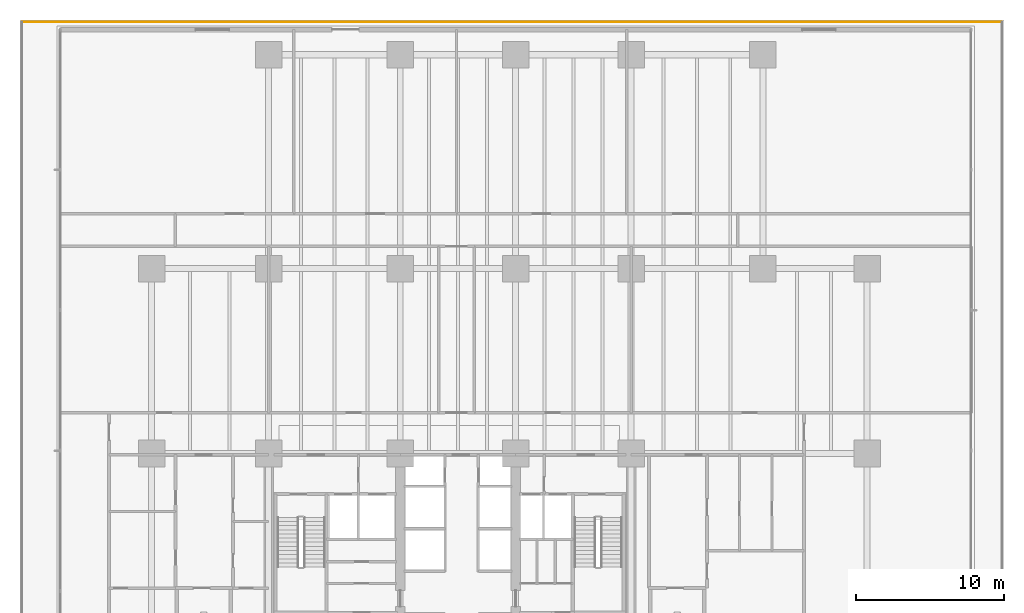
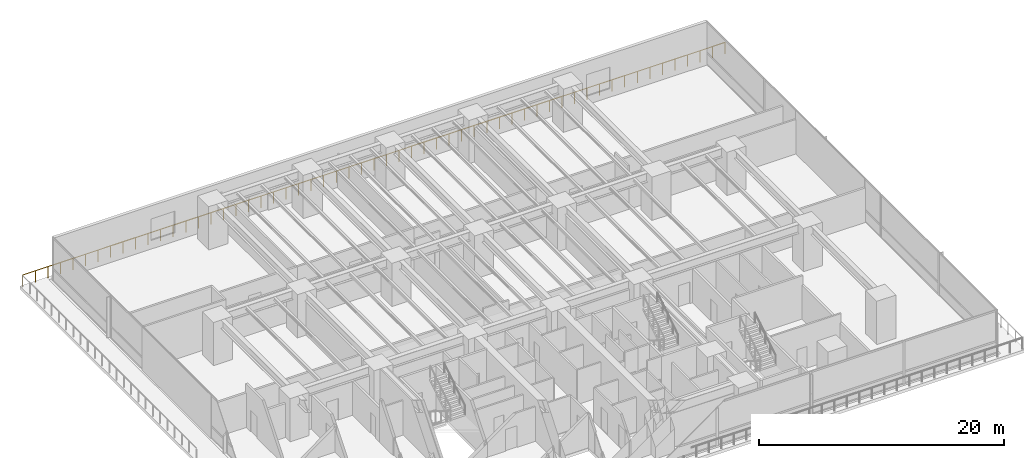
# One storey, part 23 of 26: 1 railing.
"""IFC4 building model written with IfcOpenShell, lengths in metres."""

from ifc_helpers import new_model, si_unit, direction, frame, origin, origin_2d, place, context, subcontext, project, spatial, circle, extrude, material, type_object, element, save


model = new_model("IFC4")

# Units and contexts
model_context = context("Model", 3, precision=1e-05, world=origin(), true_north=direction((0.0, 1.0)))
body_context = subcontext(model_context, "Body", "Model", "MODEL_VIEW")
ifc_project = project(units=[si_unit("LENGTHUNIT", "METRE"), si_unit("AREAUNIT", "SQUARE_METRE"), si_unit("VOLUMEUNIT", "CUBIC_METRE"), si_unit("PLANEANGLEUNIT", "RADIAN"), si_unit("MASSUNIT", "GRAM", prefix="KILO")], contexts=[model_context])

# Site, building, storey
site_placement = place(None, origin())
site = spatial("IfcSite", under=ifc_project, at=site_placement, CompositionType="ELEMENT")
building_placement = place(site_placement, origin())
building = spatial("IfcBuilding", under=site, at=building_placement, Name="Qalmaran Belvedere Hotel", CompositionType="ELEMENT")
storey_placement = place(building_placement, frame((0.0, 0.0, 19.199951171875)))
storey = spatial("IfcBuildingStorey", under=building, at=storey_placement, Name="L04", CompositionType="ELEMENT", Elevation=19.199951171875)

# Railing
ifc_material = material(Name="Anodised Bronze Aluminium", Category="aluminium")
railing_type = type_object("IfcRailingType", Name="GRD-TERR-1150", PredefinedType="BALUSTRADE", material=ifc_material)
railing_placement = place(storey_placement, frame((69.824951171875, 49.659912109375, 0.0)))
element("IfcRailing", 1, at=railing_placement, inside=storey, type_object=railing_type, Name="L04 Guardrail L04-TERR-3", PredefinedType="BALUSTRADE", context=body_context, shape_type="SweptSolid", body=[
    extrude(circle(Radius=0.02392578125, at=origin_2d()), frame((0.0, 0.0, 1.1259765625), z_axis=(-1.0, 0.0, 0.0), x_axis=(0.0, -1.0, 0.0)), (0.0, 0.0, 1.0), 66.14990234375),
    extrude(circle(Radius=0.02099609375, at=origin_2d()), origin(), (0.0, 0.0, 1.0), 1.101806640625),
    extrude(circle(Radius=0.02099609375, at=origin_2d()), frame((-1.18115234375, 0.0, 0.0)), (0.0, 0.0, 1.0), 1.101806640625),
    extrude(circle(Radius=0.02099609375, at=origin_2d()), frame((-2.362548828125, 0.0, 0.0)), (0.0, 0.0, 1.0), 1.101806640625),
    extrude(circle(Radius=0.02099609375, at=origin_2d()), frame((-3.543701171875, 0.0, 0.0)), (0.0, 0.0, 1.0), 1.101806640625),
    extrude(circle(Radius=0.02099609375, at=origin_2d()), frame((-4.72509765625, 0.0, 0.0)), (0.0, 0.0, 1.0), 1.101806640625),
    extrude(circle(Radius=0.02099609375, at=origin_2d()), frame((-5.90625, 0.0, 0.0)), (0.0, 0.0, 1.0), 1.101806640625),
    extrude(circle(Radius=0.02099609375, at=origin_2d()), frame((-7.08740234375, 0.0, 0.0)), (0.0, 0.0, 1.0), 1.101806640625),
    extrude(circle(Radius=0.02099609375, at=origin_2d()), frame((-8.268798828125, 0.0, 0.0)), (0.0, 0.0, 1.0), 1.101806640625),
    extrude(circle(Radius=0.02099609375, at=origin_2d()), frame((-9.449951171875, 0.0, 0.0)), (0.0, 0.0, 1.0), 1.101806640625),
    extrude(circle(Radius=0.02099609375, at=origin_2d()), frame((-10.63134765625, 0.0, 0.0)), (0.0, 0.0, 1.0), 1.101806640625),
    extrude(circle(Radius=0.02099609375, at=origin_2d()), frame((-11.8125, 0.0, 0.0)), (0.0, 0.0, 1.0), 1.101806640625),
    extrude(circle(Radius=0.02099609375, at=origin_2d()), frame((-12.99365234375, 0.0, 0.0)), (0.0, 0.0, 1.0), 1.101806640625),
    extrude(circle(Radius=0.02099609375, at=origin_2d()), frame((-14.175048828125, 0.0, 0.0)), (0.0, 0.0, 1.0), 1.101806640625),
    extrude(circle(Radius=0.02099609375, at=origin_2d()), frame((-15.356201171875, 0.0, 0.0)), (0.0, 0.0, 1.0), 1.101806640625),
    extrude(circle(Radius=0.02099609375, at=origin_2d()), frame((-16.53759765625, 0.0, 0.0)), (0.0, 0.0, 1.0), 1.101806640625),
    extrude(circle(Radius=0.02099609375, at=origin_2d()), frame((-17.71875, 0.0, 0.0)), (0.0, 0.0, 1.0), 1.101806640625),
    extrude(circle(Radius=0.02099609375, at=origin_2d()), frame((-18.89990234375, 0.0, 0.0)), (0.0, 0.0, 1.0), 1.101806640625),
    extrude(circle(Radius=0.02099609375, at=origin_2d()), frame((-20.081298828125, 0.0, 0.0)), (0.0, 0.0, 1.0), 1.101806640625),
    extrude(circle(Radius=0.02099609375, at=origin_2d()), frame((-21.262451171875, 0.0, 0.0)), (0.0, 0.0, 1.0), 1.101806640625),
    extrude(circle(Radius=0.02099609375, at=origin_2d()), frame((-22.443603515625, 0.0, 0.0)), (0.0, 0.0, 1.0), 1.101806640625),
    extrude(circle(Radius=0.02099609375, at=origin_2d()), frame((-23.625, 0.0, 0.0)), (0.0, 0.0, 1.0), 1.101806640625),
    extrude(circle(Radius=0.02099609375, at=origin_2d()), frame((-24.80615234375, 0.0, 0.0)), (0.0, 0.0, 1.0), 1.101806640625),
    extrude(circle(Radius=0.02099609375, at=origin_2d()), frame((-25.987548828125, 0.0, 0.0)), (0.0, 0.0, 1.0), 1.101806640625),
    extrude(circle(Radius=0.02099609375, at=origin_2d()), frame((-27.168701171875, 0.0, 0.0)), (0.0, 0.0, 1.0), 1.101806640625),
    extrude(circle(Radius=0.02099609375, at=origin_2d()), frame((-28.349853515625, 0.0, 0.0)), (0.0, 0.0, 1.0), 1.101806640625),
    extrude(circle(Radius=0.02099609375, at=origin_2d()), frame((-29.53125, 0.0, 0.0)), (0.0, 0.0, 1.0), 1.101806640625),
    extrude(circle(Radius=0.02099609375, at=origin_2d()), frame((-30.71240234375, 0.0, 0.0)), (0.0, 0.0, 1.0), 1.101806640625),
    extrude(circle(Radius=0.02099609375, at=origin_2d()), frame((-31.893798828125, 0.0, 0.0)), (0.0, 0.0, 1.0), 1.101806640625),
    extrude(circle(Radius=0.02099609375, at=origin_2d()), frame((-33.074951171875, 0.0, 0.0)), (0.0, 0.0, 1.0), 1.101806640625),
    extrude(circle(Radius=0.02099609375, at=origin_2d()), frame((-34.256103515625, 0.0, 0.0)), (0.0, 0.0, 1.0), 1.101806640625),
    extrude(circle(Radius=0.02099609375, at=origin_2d()), frame((-35.4375, 0.0, 0.0)), (0.0, 0.0, 1.0), 1.101806640625),
    extrude(circle(Radius=0.02099609375, at=origin_2d()), frame((-36.61865234375, 0.0, 0.0)), (0.0, 0.0, 1.0), 1.101806640625),
    extrude(circle(Radius=0.02099609375, at=origin_2d()), frame((-37.800048828125, 0.0, 0.0)), (0.0, 0.0, 1.0), 1.101806640625),
    extrude(circle(Radius=0.02099609375, at=origin_2d()), frame((-38.981201171875, 0.0, 0.0)), (0.0, 0.0, 1.0), 1.101806640625),
    extrude(circle(Radius=0.02099609375, at=origin_2d()), frame((-40.162353515625, 0.0, 0.0)), (0.0, 0.0, 1.0), 1.101806640625),
    extrude(circle(Radius=0.02099609375, at=origin_2d()), frame((-41.34375, 0.0, 0.0)), (0.0, 0.0, 1.0), 1.101806640625),
    extrude(circle(Radius=0.02099609375, at=origin_2d()), frame((-42.52490234375, 0.0, 0.0)), (0.0, 0.0, 1.0), 1.101806640625),
    extrude(circle(Radius=0.02099609375, at=origin_2d()), frame((-43.706298828125, 0.0, 0.0)), (0.0, 0.0, 1.0), 1.101806640625),
    extrude(circle(Radius=0.02099609375, at=origin_2d()), frame((-44.887451171875, 0.0, 0.0)), (0.0, 0.0, 1.0), 1.101806640625),
    extrude(circle(Radius=0.02099609375, at=origin_2d()), frame((-46.068603515625, 0.0, 0.0)), (0.0, 0.0, 1.0), 1.101806640625),
    extrude(circle(Radius=0.02099609375, at=origin_2d()), frame((-47.25, 0.0, 0.0)), (0.0, 0.0, 1.0), 1.101806640625),
    extrude(circle(Radius=0.02099609375, at=origin_2d()), frame((-48.43115234375, 0.0, 0.0)), (0.0, 0.0, 1.0), 1.101806640625),
    extrude(circle(Radius=0.02099609375, at=origin_2d()), frame((-49.6123046875, 0.0, 0.0)), (0.0, 0.0, 1.0), 1.101806640625),
    extrude(circle(Radius=0.02099609375, at=origin_2d()), frame((-50.793701171875, 0.0, 0.0)), (0.0, 0.0, 1.0), 1.101806640625),
    extrude(circle(Radius=0.02099609375, at=origin_2d()), frame((-51.974853515625, 0.0, 0.0)), (0.0, 0.0, 1.0), 1.101806640625),
    extrude(circle(Radius=0.02099609375, at=origin_2d()), frame((-53.15625, 0.0, 0.0)), (0.0, 0.0, 1.0), 1.101806640625),
    extrude(circle(Radius=0.02099609375, at=origin_2d()), frame((-54.33740234375, 0.0, 0.0)), (0.0, 0.0, 1.0), 1.101806640625),
    extrude(circle(Radius=0.02099609375, at=origin_2d()), frame((-55.5185546875, 0.0, 0.0)), (0.0, 0.0, 1.0), 1.101806640625),
    extrude(circle(Radius=0.02099609375, at=origin_2d()), frame((-56.699951171875, 0.0, 0.0)), (0.0, 0.0, 1.0), 1.101806640625),
    extrude(circle(Radius=0.02099609375, at=origin_2d()), frame((-57.881103515625, 0.0, 0.0)), (0.0, 0.0, 1.0), 1.101806640625),
    extrude(circle(Radius=0.02099609375, at=origin_2d()), frame((-59.0625, 0.0, 0.0)), (0.0, 0.0, 1.0), 1.101806640625),
    extrude(circle(Radius=0.02099609375, at=origin_2d()), frame((-60.24365234375, 0.0, 0.0)), (0.0, 0.0, 1.0), 1.101806640625),
    extrude(circle(Radius=0.02099609375, at=origin_2d()), frame((-61.4248046875, 0.0, 0.0)), (0.0, 0.0, 1.0), 1.101806640625),
    extrude(circle(Radius=0.02099609375, at=origin_2d()), frame((-62.606201171875, 0.0, 0.0)), (0.0, 0.0, 1.0), 1.101806640625),
    extrude(circle(Radius=0.02099609375, at=origin_2d()), frame((-63.787353515625, 0.0, 0.0)), (0.0, 0.0, 1.0), 1.101806640625),
    extrude(circle(Radius=0.02099609375, at=origin_2d()), frame((-64.96875, 0.0, 0.0)), (0.0, 0.0, 1.0), 1.101806640625),
    extrude(circle(Radius=0.02099609375, at=origin_2d()), frame((-66.14990234375, 0.0, 0.0)), (0.0, 0.0, 1.0), 1.101806640625),
])

save(model, "model.ifc")
